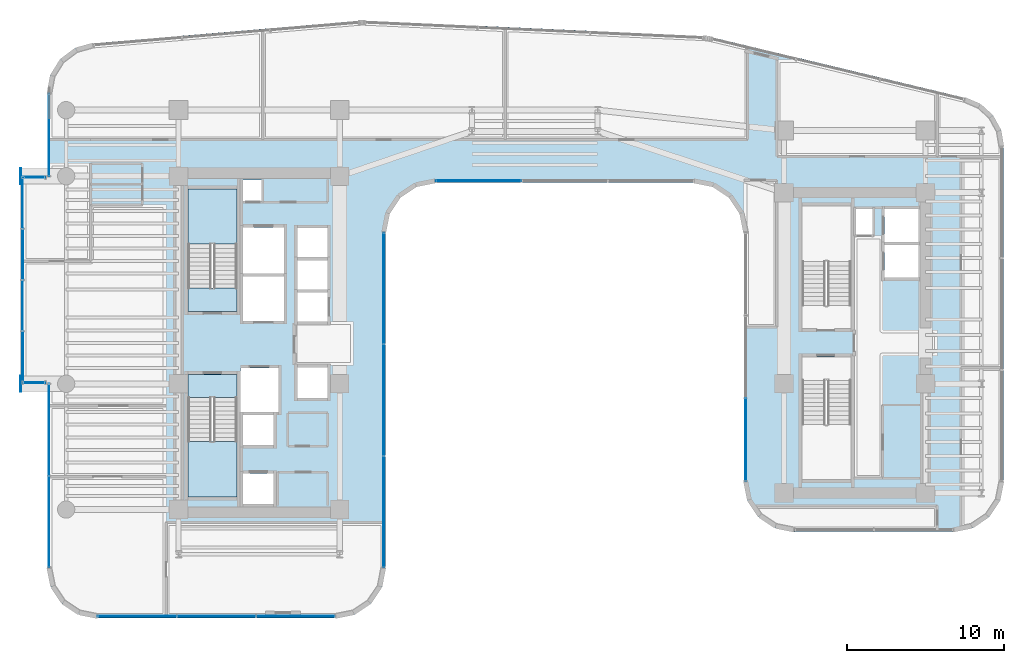
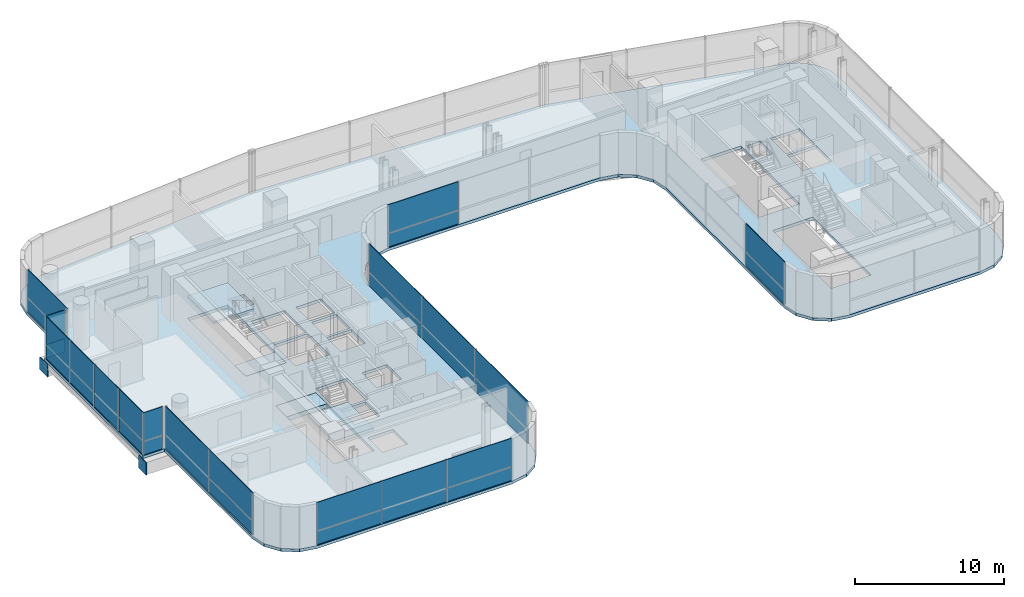
# One storey, part 24 of 34: 31 plates, 5 slabs, 11 elements without a shape of their own.
"""IFC4 building model written with IfcOpenShell, lengths in metres."""

from ifc_helpers import new_model, si_unit, direction, frame, origin, origin_2d, place, context, subcontext, project, spatial, polyline, rectangle, outline, extrude, source, transform, mapped, material, layer, layer_set, type_object, element, aggregate, save


model = new_model("IFC4")

# Units and contexts
model_context = context("Model", 3, precision=1e-05, world=origin(), true_north=direction((0.0, 1.0)))
body_context = subcontext(model_context, "Body", "Model", "MODEL_VIEW")
ifc_project = project(units=[si_unit("LENGTHUNIT", "METRE"), si_unit("AREAUNIT", "SQUARE_METRE"), si_unit("VOLUMEUNIT", "CUBIC_METRE"), si_unit("PLANEANGLEUNIT", "RADIAN"), si_unit("MASSUNIT", "GRAM", prefix="KILO")], contexts=[model_context])

# Site, building, storey
site_placement = place(None, origin())
site = spatial("IfcSite", under=ifc_project, at=site_placement, CompositionType="ELEMENT")
building_placement = place(site_placement, origin())
building = spatial("IfcBuilding", under=site, at=building_placement, Name="Valdorenza Pilgrim Sanctuary Tower", CompositionType="ELEMENT")
storey_placement = place(building_placement, frame((0.0, 0.0, 142.699951171875)))
storey = spatial("IfcBuildingStorey", under=building, at=storey_placement, Name="L36", CompositionType="ELEMENT", Elevation=142.699951171875)

# Slab
ifc_material_1 = material(Name="Concrete C40/50", Category="concrete")
ifc_layer_1 = layer(ifc_material_1, 0.239990234375, Name="Concrete C40/50")
ifc_layer_set_1 = layer_set([ifc_layer_1], Name="Concrete C40/50")
slab_type_1 = type_object("IfcSlabType", Name="SLAB-FLR-220", PredefinedType="FLOOR", material=ifc_layer_set_1)
slab_1_placement = place(storey_placement, frame((0.0, 0.0, -0.239990234375)))
element("IfcSlab", 1, at=slab_1_placement, inside=storey, type_object=slab_type_1, Name="L36 Structural Floor Slab 1", PredefinedType="FLOOR", context=body_context, shape_type="SweptSolid", body=[
    extrude(outline(polyline([(-30.78173828125, 17.022216796875), (-30.156494140625, 18.025390625), (-29.2099609375, 18.733154296875), (-28.071044921875, 19.049072265625), (-11.2080078125, 20.482421875), (-11.10400390625, 20.489501953125), (-10.895751953125, 20.49365234375), (10.6962890625, 19.513916015625), (10.847412109375, 19.50341796875), (10.998046875, 19.485595703125), (11.147705078125, 19.4609375), (11.2958984375, 19.42919921875), (27.344970703125, 15.587646484375), (28.323974609375, 15.17138671875), (29.1123046875, 14.45751953125), (29.623291015625, 13.5244140625), (29.800048828125, 12.4755859375), (29.800048828125, -8.800048828125), (29.556396484375, -10.024658203125), (28.86279296875, -11.062744140625), (27.82470703125, -11.75634765625), (26.60009765625, -12.0), (16.5, -12.0), (15.275390625, -11.75634765625), (14.2373046875, -11.062744140625), (13.543701171875, -10.024658203125), (13.300048828125, -8.800048828125), (13.300048828125, 7.0), (13.056396484375, 8.224609375), (12.36279296875, 9.2626953125), (11.32470703125, 9.956298828125), (10.10009765625, 10.199951171875), (-6.300048828125, 10.199951171875), (-7.524658203125, 9.956298828125), (-8.562744140625, 9.2626953125), (-9.25634765625, 8.224609375), (-9.5, 7.0), (-9.5, -14.300048828125), (-9.74365234375, -15.524658203125), (-10.437255859375, -16.562744140625), (-11.475341796875, -17.25634765625), (-12.699951171875, -17.5), (-27.800048828125, -17.5), (-29.024658203125, -17.25634765625), (-30.062744140625, -16.562744140625), (-30.75634765625, -15.524658203125), (-31.0, -14.300048828125), (-31.0, -2.60009765625), (-32.64990234375, -2.60009765625), (-32.64990234375, 10.60009765625), (-31.0, 10.60009765625), (-31.0, 15.860595703125), (-30.78173828125, 17.022216796875)]), holes=[polyline([(-16.60009765625, -10.25), (-16.60009765625, -8.300048828125), (-18.550048828125, -8.300048828125), (-18.550048828125, -10.25), (-16.60009765625, -10.25)]), polyline([(-22.050048828125, -9.800048828125), (-18.93994140625, -9.800048828125), (-18.93994140625, -3.485107421875), (-18.93994140625, -2.0), (-22.050048828125, -2.0), (-22.050048828125, -3.485107421875), (-22.050048828125, -9.800048828125)]), polyline([(-16.60009765625, -6.5), (-16.60009765625, -4.60009765625), (-18.550048828125, -4.60009765625), (-18.550048828125, -6.5), (-16.60009765625, -6.5)]), polyline([(-18.719970703125, -4.39990234375), (-16.300048828125, -4.39990234375), (-16.300048828125, -1.60009765625), (-18.719970703125, -1.60009765625), (-18.719970703125, -4.39990234375)]), polyline([(-13.179931640625, 1.35009765625), (-13.179931640625, 3.199951171875), (-15.10009765625, 3.199951171875), (-15.10009765625, 1.35009765625), (-13.179931640625, 1.35009765625)]), polyline([(-22.050048828125, 2.0), (-18.93994140625, 2.0), (-18.93994140625, 3.485107421875), (-18.93994140625, 9.800048828125), (-22.050048828125, 9.800048828125), (-22.050048828125, 3.485107421875), (-22.050048828125, 2.0)]), polyline([(-15.949951171875, 1.39990234375), (-15.949951171875, 4.22509765625), (-18.550048828125, 4.22509765625), (-18.550048828125, 1.39990234375), (-15.949951171875, 1.39990234375)]), polyline([(-18.550048828125, 4.425048828125), (-15.949951171875, 4.425048828125), (-15.949951171875, 7.35009765625), (-18.550048828125, 7.35009765625), (-18.550048828125, 4.425048828125)]), polyline([(-17.360107421875, 9.030029296875), (-17.360107421875, 10.35009765625), (-18.570068359375, 10.35009765625), (-18.570068359375, 9.030029296875), (-17.360107421875, 9.030029296875)]), polyline([(17.0, -8.699951171875), (20.110107421875, -8.699951171875), (20.110107421875, -2.385009765625), (20.110107421875, -0.89990234375), (17.0, -0.89990234375), (17.0, -2.385009765625), (17.0, -8.699951171875)]), polyline([(-13.179931640625, -3.5), (-13.179931640625, -1.550048828125), (-15.10009765625, -1.550048828125), (-15.10009765625, -3.5), (-13.179931640625, -3.5)]), polyline([(17.0, 0.89990234375), (20.110107421875, 0.89990234375), (20.110107421875, 2.385009765625), (20.110107421875, 8.699951171875), (17.0, 8.699951171875), (17.0, 2.385009765625), (17.0, 0.89990234375)]), polyline([(-13.179931640625, 3.39990234375), (-13.179931640625, 5.25), (-15.10009765625, 5.25), (-15.10009765625, 3.39990234375), (-13.179931640625, 3.39990234375)]), polyline([(22.25, 4.14990234375), (24.47998046875, 4.14990234375), (24.47998046875, 6.22509765625), (22.25, 6.22509765625), (22.25, 4.14990234375)]), polyline([(-13.179931640625, 5.449951171875), (-13.179931640625, 7.300048828125), (-15.10009765625, 7.300048828125), (-15.10009765625, 5.449951171875), (-13.179931640625, 5.449951171875)]), polyline([(22.25, 6.425048828125), (24.47998046875, 6.425048828125), (24.47998046875, 8.5), (22.25, 8.5), (22.25, 6.425048828125)]), polyline([(20.409912109375, 6.860107421875), (21.489990234375, 6.860107421875), (21.489990234375, 8.52001953125), (20.409912109375, 8.52001953125), (20.409912109375, 6.860107421875)])]), origin(), (0.0, 0.0, 1.0), 0.239990234375),
])

# Stair, slab
stair_type = type_object("IfcStairType", Name="STR-DOG-CORE", PredefinedType="HALF_TURN_STAIR", material=ifc_material_1)
stair_1_placement = place(storey_placement, origin())
stair_1 = element("IfcStair", 2, at=stair_1_placement, inside=storey, type_object=stair_type, Name="L36 ST-A1", PredefinedType="HALF_TURN_STAIR")
ifc_layer_2 = layer(ifc_material_1, 0.199951171875, Name="Concrete C40/50")
ifc_layer_set_2 = layer_set([ifc_layer_2], Name="Concrete C40/50")
slab_type_2 = type_object("IfcSlabType", Name="SLAB-STL-200", PredefinedType="LANDING", material=ifc_layer_set_2)
slab_2_placement = place(storey_placement, frame((0.0, 0.0, 1.650146484375)))
slab_2 = element("IfcSlab", 3, at=slab_2_placement, type_object=slab_type_2, Name="ST-A1 landing 1", PredefinedType="LANDING", context=body_context, shape_type="SweptSolid", body=[
    extrude(outline(polyline([(-18.93994140625, 6.280029296875), (-18.93994140625, 9.800048828125), (-22.050048828125, 9.800048828125), (-22.050048828125, 6.280029296875), (-18.93994140625, 6.280029296875)])), origin(), (0.0, 0.0, 1.0), 0.199951171875),
])
aggregate(stair_1, [slab_2])

stair_2_placement = place(storey_placement, origin())
stair_2 = element("IfcStair", 4, at=stair_2_placement, inside=storey, type_object=stair_type, Name="L36 ST-A2", PredefinedType="HALF_TURN_STAIR")
slab_3_placement = place(storey_placement, frame((0.0, 0.0, 1.650146484375)))
slab_3 = element("IfcSlab", 5, at=slab_3_placement, type_object=slab_type_2, Name="ST-A2 landing 1", PredefinedType="LANDING", context=body_context, shape_type="SweptSolid", body=[
    extrude(outline(polyline([(-22.050048828125, -6.280029296875), (-22.050048828125, -9.800048828125), (-18.93994140625, -9.800048828125), (-18.93994140625, -6.280029296875), (-22.050048828125, -6.280029296875)])), origin(), (0.0, 0.0, 1.0), 0.199951171875),
])
aggregate(stair_2, [slab_3])

# Slabs
ifc_material_2 = material(Name="Concrete C50/60", Category="concrete")
ifc_layer_3 = layer(ifc_material_2, 0.39990234375, Name="Concrete C50/60")
ifc_layer_set_3 = layer_set([ifc_layer_3], Name="Concrete C50/60")
slab_type_3 = type_object("IfcSlabType", Name="SLAB-TRF-400", PredefinedType="FLOOR", material=ifc_layer_set_3)
slab_4_placement = place(storey_placement, frame((0.0, 0.0, -0.35986328125)))
element("IfcSlab", 6, at=slab_4_placement, inside=storey, type_object=slab_type_3, Name="L36 ST-A1 Structural Stair Landing Bearing Slab", PredefinedType="FLOOR", context=body_context, shape_type="SweptSolid", body=[
    extrude(outline(polyline([(-22.050048828125, 2.0), (-18.93994140625, 2.0), (-18.93994140625, 3.485107421875), (-22.050048828125, 3.485107421875), (-22.050048828125, 2.0)])), origin(), (0.0, 0.0, 1.0), 0.35986328125),
])
slab_5_placement = place(storey_placement, frame((0.0, 0.0, -0.35986328125)))
element("IfcSlab", 7, at=slab_5_placement, inside=storey, type_object=slab_type_3, Name="L36 ST-A2 Structural Stair Landing Bearing Slab", PredefinedType="FLOOR", context=body_context, shape_type="SweptSolid", body=[
    extrude(outline(polyline([(-22.050048828125, -3.485107421875), (-18.93994140625, -3.485107421875), (-18.93994140625, -2.0), (-22.050048828125, -2.0), (-22.050048828125, -3.485107421875)])), origin(), (0.0, 0.0, 1.0), 0.35986328125),
])

# Plates
ifc_material_3 = material(Name="Steel ASTM A572 Grade 42", Category="steel")
ifc_layer_4 = layer(ifc_material_3, 0.06005859375, Name="Steel ASTM A572 Grade 42")
ifc_layer_set_4 = layer_set([ifc_layer_4], Name="Steel ASTM A572 Grade 42")
plate_type_1 = type_object("IfcPlateType", Name="PLT-CAP-60", PredefinedType="SHEET", material=ifc_layer_set_4)
shared_shape_1 = source(origin(), body_context, "Body", "SweptSolid", [
    extrude(rectangle(XDim=0.06005859375, YDim=1.0400390625, at=origin_2d()), origin(), (0.0, 0.0, 1.0), 1.0400390625),
])
for number, where, z_axis, x_axis, name in (
    (8, (-32.679931640625, 10.60009765625, -1.260009765625), (0.0, 0.0, 1.0), (1.0, 0.0, 0.0), "L36 BOX-WA-L36 Cantilever Tip End Cap N"),
    (9, (-32.679931640625, -2.60009765625, -1.260009765625), (0.0, 0.0, 1.0), (1.0, 0.0, 0.0), "L36 BOX-WA-L36 Cantilever Tip End Cap S"),
):
    element("IfcPlate", number, at=place(storey_placement, frame(where, z_axis=z_axis, x_axis=x_axis)), inside=storey, type_object=plate_type_1, Name=name, PredefinedType="SHEET", context=body_context, shape_type="MappedRepresentation", body=[
        mapped(shared_shape_1, transform((0.0, 0.0, 0.0), x_axis=(1.0, 0.0, 0.0), y_axis=(0.0, 1.0, 0.0), z_axis=(0.0, 0.0, 1.0), scale=1.0)),
    ])

# Curtain wall, plates
ifc_material_4 = material(Name="Curtain-wall IGU glazing", Category="glass")
curtain_wall_type_1 = type_object("IfcCurtainWallType", Name="CW-SYS-02", PredefinedType="NOTDEFINED", material=ifc_material_4)
curtain_wall_1_placement = place(storey_placement, origin())
curtain_wall_1 = element("IfcCurtainWall", 10, at=curtain_wall_1_placement, inside=storey, type_object=curtain_wall_type_1, Name="L36 Curtain Wall CW-L36-1-36", PredefinedType="NOTDEFINED")
ifc_material_5 = material(Name="Honed travertine limestone", Category="masonry")
ifc_layer_5 = layer(ifc_material_5, 0.050048828125, Name="Honed travertine limestone")
ifc_layer_set_5 = layer_set([ifc_layer_5], Name="Honed travertine limestone")
plate_type_2 = type_object("IfcPlateType", Name="CW-SPN-TRV", PredefinedType="USERDEFINED", material=ifc_layer_set_5)
shared_shape_2 = source(origin(), body_context, "Body", "SweptSolid", [
    extrude(rectangle(XDim=5.453857421875, YDim=0.06005859375, at=origin_2d()), origin(), (0.0, 0.0, 1.0), 1.10009765625),
])
plate_1_placement = place(storey_placement, frame((-3.573974609375, 10.31005859375, 0.010009765625), z_axis=(0.0, 0.0, 1.0), x_axis=(-1.0, 0.0, 0.0)))
plate_1 = element("IfcPlate", 11, at=plate_1_placement, type_object=plate_type_2, Name="CW-L36-1-36 Travertine Spandrel 3", ObjectType="SPANDREL", PredefinedType="USERDEFINED", context=body_context, shape_type="MappedRepresentation", body=[
    mapped(shared_shape_2, transform((0.0, 0.0, 0.0), x_axis=(1.0, 0.0, 0.0), y_axis=(0.0, 1.0, 0.0), z_axis=(0.0, 0.0, 1.0), scale=1.0)),
])
ifc_material_6 = material(Name="Ceramic-fritted low-E IGU glazing", Category="glass")
ifc_layer_6 = layer(ifc_material_6, 0.035888671875, Name="Ceramic-fritted low-E IGU glazing")
ifc_layer_set_6 = layer_set([ifc_layer_6], Name="Ceramic-fritted low-E IGU glazing")
plate_type_3 = type_object("IfcPlateType", Name="CW-GLZ-IGU", PredefinedType="USERDEFINED", material=ifc_layer_set_6)
shared_shape_3 = source(origin(), body_context, "Body", "SweptSolid", [
    extrude(rectangle(XDim=5.453857421875, YDim=0.050048828125, at=origin_2d()), origin(), (0.0, 0.0, 1.0), 2.320068359375),
])
plate_2_placement = place(storey_placement, frame((-3.573974609375, 10.31005859375, 1.1298828125), z_axis=(0.0, 0.0, 1.0), x_axis=(-1.0, 0.0, 0.0)))
plate_2 = element("IfcPlate", 12, at=plate_2_placement, type_object=plate_type_3, Name="CW-L36-1-36 Facade Panel 3", ObjectType="GLAZING", PredefinedType="USERDEFINED", context=body_context, shape_type="MappedRepresentation", body=[
    mapped(shared_shape_3, transform((0.0, 0.0, 0.0), x_axis=(1.0, 0.0, 0.0), y_axis=(0.0, 1.0, 0.0), z_axis=(0.0, 0.0, 1.0), scale=1.0)),
])
aggregate(curtain_wall_1, [plate_1, plate_2])

# Curtain wall, plate
curtain_wall_2_placement = place(storey_placement, origin())
curtain_wall_2 = element("IfcCurtainWall", 13, at=curtain_wall_2_placement, inside=storey, type_object=curtain_wall_type_1, Name="L36 Curtain Wall CW-L36-BOX-WA-L36-S", PredefinedType="NOTDEFINED")
shared_shape_4 = source(origin(), body_context, "Body", "SweptSolid", [
    extrude(rectangle(XDim=1.43994140625, YDim=0.06005859375, at=origin_2d()), origin(), (0.0, 0.0, 1.0), 1.10009765625),
])
plate_3_placement = place(storey_placement, frame((-31.840087890625, -2.52001953125, 0.010009765625), z_axis=(0.0, 0.0, 1.0), x_axis=(-1.0, 0.0, 0.0)))
plate_3 = element("IfcPlate", 14, at=plate_3_placement, type_object=plate_type_2, Name="CW-L36-BOX-WA-L36-S Travertine Spandrel 1", ObjectType="SPANDREL", PredefinedType="USERDEFINED", context=body_context, shape_type="MappedRepresentation", body=[
    mapped(shared_shape_4, transform((0.0, 0.0, 0.0), x_axis=(1.0, 0.0, 0.0), y_axis=(0.0, 1.0, 0.0), z_axis=(0.0, 0.0, 1.0), scale=1.0)),
])

curtain_wall_3_placement = place(storey_placement, origin())
curtain_wall_3 = element("IfcCurtainWall", 15, at=curtain_wall_3_placement, inside=storey, type_object=curtain_wall_type_1, Name="L36 Curtain Wall CW-L36-BOX-WA-L36-N", PredefinedType="NOTDEFINED")
plate_4_placement = place(storey_placement, frame((-31.840087890625, 10.52001953125, 0.010009765625), z_axis=(0.0, 0.0, 1.0), x_axis=(1.0, 0.0, 0.0)))
plate_4 = element("IfcPlate", 16, at=plate_4_placement, type_object=plate_type_2, Name="CW-L36-BOX-WA-L36-N Travertine Spandrel 1", ObjectType="SPANDREL", PredefinedType="USERDEFINED", context=body_context, shape_type="MappedRepresentation", body=[
    mapped(shared_shape_4, transform((0.0, 0.0, 0.0), x_axis=(1.0, 0.0, 0.0), y_axis=(0.0, 1.0, 0.0), z_axis=(0.0, 0.0, 1.0), scale=1.0)),
])

# Plate
shared_shape_5 = source(origin(), body_context, "Body", "SweptSolid", [
    extrude(rectangle(XDim=1.43994140625, YDim=0.050048828125, at=origin_2d()), origin(), (0.0, 0.0, 1.0), 2.320068359375),
])
plate_5_placement = place(storey_placement, frame((-31.840087890625, -2.52001953125, 1.1298828125), z_axis=(0.0, 0.0, 1.0), x_axis=(-1.0, 0.0, 0.0)))
plate_5 = element("IfcPlate", 17, at=plate_5_placement, type_object=plate_type_3, Name="CW-L36-BOX-WA-L36-S Facade Panel 1", ObjectType="GLAZING", PredefinedType="USERDEFINED", context=body_context, shape_type="MappedRepresentation", body=[
    mapped(shared_shape_5, transform((0.0, 0.0, 0.0), x_axis=(1.0, 0.0, 0.0), y_axis=(0.0, 1.0, 0.0), z_axis=(0.0, 0.0, 1.0), scale=1.0)),
])

aggregate(curtain_wall_2, [plate_3, plate_5])

plate_6_placement = place(storey_placement, frame((-31.840087890625, 10.52001953125, 1.1298828125), z_axis=(0.0, 0.0, 1.0), x_axis=(1.0, 0.0, 0.0)))
plate_6 = element("IfcPlate", 18, at=plate_6_placement, type_object=plate_type_3, Name="CW-L36-BOX-WA-L36-N Facade Panel 1", ObjectType="GLAZING", PredefinedType="USERDEFINED", context=body_context, shape_type="MappedRepresentation", body=[
    mapped(shared_shape_5, transform((0.0, 0.0, 0.0), x_axis=(1.0, 0.0, 0.0), y_axis=(0.0, 1.0, 0.0), z_axis=(0.0, 0.0, 1.0), scale=1.0)),
])

aggregate(curtain_wall_3, [plate_4, plate_6])

# Curtain wall, plates
curtain_wall_4_placement = place(storey_placement, origin())
curtain_wall_4 = element("IfcCurtainWall", 19, at=curtain_wall_4_placement, inside=storey, type_object=curtain_wall_type_1, Name="L36 Curtain Wall CW-L36-BOX-WA-L36-F", PredefinedType="NOTDEFINED")
shared_shape_6 = source(origin(), body_context, "Body", "SweptSolid", [
    extrude(rectangle(XDim=3.239990234375, YDim=0.06005859375, at=origin_2d()), origin(), (0.0, 0.0, 1.0), 1.10009765625),
])
plate_7_placement = place(storey_placement, frame((-32.570068359375, -0.889892578125, 0.010009765625), z_axis=(0.0, 0.0, 1.0), x_axis=(0.0, 1.0, 0.0)))
plate_7 = element("IfcPlate", 20, at=plate_7_placement, type_object=plate_type_2, Name="CW-L36-BOX-WA-L36-F Travertine Spandrel 1", ObjectType="SPANDREL", PredefinedType="USERDEFINED", context=body_context, shape_type="MappedRepresentation", body=[
    mapped(shared_shape_6, transform((0.0, 0.0, 0.0), x_axis=(1.0, 0.0, 0.0), y_axis=(0.0, 1.0, 0.0), z_axis=(0.0, 0.0, 1.0), scale=1.0)),
])
plate_8_placement = place(storey_placement, frame((-32.570068359375, 5.6298828125, 0.010009765625), z_axis=(0.0, 0.0, 1.0), x_axis=(0.0, 1.0, 0.0)))
plate_8 = element("IfcPlate", 21, at=plate_8_placement, type_object=plate_type_2, Name="CW-L36-BOX-WA-L36-F Travertine Spandrel 3", ObjectType="SPANDREL", PredefinedType="USERDEFINED", context=body_context, shape_type="MappedRepresentation", body=[
    mapped(shared_shape_6, transform((0.0, 0.0, 0.0), x_axis=(1.0, 0.0, 0.0), y_axis=(0.0, 1.0, 0.0), z_axis=(0.0, 0.0, 1.0), scale=1.0)),
])
shared_shape_7 = source(origin(), body_context, "Body", "SweptSolid", [
    extrude(rectangle(XDim=3.239990234375, YDim=0.050048828125, at=origin_2d()), origin(), (0.0, 0.0, 1.0), 2.320068359375),
])
plate_9_placement = place(storey_placement, frame((-32.570068359375, -0.889892578125, 1.1298828125), z_axis=(0.0, 0.0, 1.0), x_axis=(0.0, 1.0, 0.0)))
plate_9 = element("IfcPlate", 22, at=plate_9_placement, type_object=plate_type_3, Name="CW-L36-BOX-WA-L36-F Facade Panel 1", ObjectType="GLAZING", PredefinedType="USERDEFINED", context=body_context, shape_type="MappedRepresentation", body=[
    mapped(shared_shape_7, transform((0.0, 0.0, 0.0), x_axis=(1.0, 0.0, 0.0), y_axis=(0.0, 1.0, 0.0), z_axis=(0.0, 0.0, 1.0), scale=1.0)),
])
plate_10_placement = place(storey_placement, frame((-32.570068359375, 5.6298828125, 1.1298828125), z_axis=(0.0, 0.0, 1.0), x_axis=(0.0, 1.0, 0.0)))
plate_10 = element("IfcPlate", 23, at=plate_10_placement, type_object=plate_type_3, Name="CW-L36-BOX-WA-L36-F Facade Panel 3", ObjectType="GLAZING", PredefinedType="USERDEFINED", context=body_context, shape_type="MappedRepresentation", body=[
    mapped(shared_shape_7, transform((0.0, 0.0, 0.0), x_axis=(1.0, 0.0, 0.0), y_axis=(0.0, 1.0, 0.0), z_axis=(0.0, 0.0, 1.0), scale=1.0)),
])
shared_shape_8 = source(origin(), body_context, "Body", "SweptSolid", [
    extrude(rectangle(XDim=3.239990234375, YDim=0.050048828125, at=origin_2d()), origin(), (0.0, 0.0, 1.0), 3.43994140625),
])
plate_11_placement = place(storey_placement, frame((-32.570068359375, 2.3701171875, 0.010009765625), z_axis=(0.0, 0.0, 1.0), x_axis=(0.0, 1.0, 0.0)))
plate_11 = element("IfcPlate", 24, at=plate_11_placement, type_object=plate_type_3, Name="CW-L36-BOX-WA-L36-F Full-Height Facade Panel 2", ObjectType="GLAZING", PredefinedType="USERDEFINED", context=body_context, shape_type="MappedRepresentation", body=[
    mapped(shared_shape_8, transform((0.0, 0.0, 0.0), x_axis=(1.0, 0.0, 0.0), y_axis=(0.0, 1.0, 0.0), z_axis=(0.0, 0.0, 1.0), scale=1.0)),
])
plate_12_placement = place(storey_placement, frame((-32.570068359375, 8.889892578125, 0.010009765625), z_axis=(0.0, 0.0, 1.0), x_axis=(0.0, 1.0, 0.0)))
plate_12 = element("IfcPlate", 25, at=plate_12_placement, type_object=plate_type_3, Name="CW-L36-BOX-WA-L36-F Full-Height Facade Panel 4", ObjectType="GLAZING", PredefinedType="USERDEFINED", context=body_context, shape_type="MappedRepresentation", body=[
    mapped(shared_shape_8, transform((0.0, 0.0, 0.0), x_axis=(1.0, 0.0, 0.0), y_axis=(0.0, 1.0, 0.0), z_axis=(0.0, 0.0, 1.0), scale=1.0)),
])
aggregate(curtain_wall_4, [plate_7, plate_9, plate_11, plate_8, plate_10, plate_12])

# Curtain wall, plate
curtain_wall_type_2 = type_object("IfcCurtainWallType", Name="CW-SYS-03", PredefinedType="NOTDEFINED", material=ifc_material_4)
curtain_wall_5_placement = place(storey_placement, origin())
curtain_wall_5 = element("IfcCurtainWall", 26, at=curtain_wall_5_placement, inside=storey, type_object=curtain_wall_type_2, Name="L36 Curtain Wall CW-L36-1-31", PredefinedType="NOTDEFINED")
shared_shape_9 = source(origin(), body_context, "Body", "SweptSolid", [
    extrude(rectangle(XDim=5.24658203125, YDim=0.06005859375, at=origin_2d()), origin(), (0.0, 0.0, 1.0), 1.10009765625),
])
plate_13_placement = place(storey_placement, frame((13.409912109375, -6.156005859375, 0.010009765625), z_axis=(0.0, 0.0, 1.0), x_axis=(0.0, 1.0, 0.0)))
plate_13 = element("IfcPlate", 27, at=plate_13_placement, type_object=plate_type_2, Name="CW-L36-1-31 Travertine Spandrel 1", ObjectType="SPANDREL", PredefinedType="USERDEFINED", context=body_context, shape_type="MappedRepresentation", body=[
    mapped(shared_shape_9, transform((0.0, 0.0, 0.0), x_axis=(1.0, 0.0, 0.0), y_axis=(0.0, 1.0, 0.0), z_axis=(0.0, 0.0, 1.0), scale=1.0)),
])

# Curtain wall, plates
curtain_wall_6_placement = place(storey_placement, origin())
curtain_wall_6 = element("IfcCurtainWall", 28, at=curtain_wall_6_placement, inside=storey, type_object=curtain_wall_type_1, Name="L36 Curtain Wall CW-L36-1-41", PredefinedType="NOTDEFINED")
shared_shape_10 = source(origin(), body_context, "Body", "SweptSolid", [
    extrude(rectangle(XDim=7.080078125, YDim=0.06005859375, at=origin_2d()), origin(), (0.0, 0.0, 1.0), 1.10009765625),
])
plate_14_placement = place(storey_placement, frame((-9.610107421875, 3.460693359375, 0.010009765625), z_axis=(0.0, 0.0, 1.0), x_axis=(0.0, -1.0, 0.0)))
plate_14 = element("IfcPlate", 29, at=plate_14_placement, type_object=plate_type_2, Name="CW-L36-1-41 Travertine Spandrel 1", ObjectType="SPANDREL", PredefinedType="USERDEFINED", context=body_context, shape_type="MappedRepresentation", body=[
    mapped(shared_shape_10, transform((0.0, 0.0, 0.0), x_axis=(1.0, 0.0, 0.0), y_axis=(0.0, 1.0, 0.0), z_axis=(0.0, 0.0, 1.0), scale=1.0)),
])
plate_15_placement = place(storey_placement, frame((-9.610107421875, -10.7392578125, 0.010009765625), z_axis=(0.0, 0.0, 1.0), x_axis=(0.0, -1.0, 0.0)))
plate_15 = element("IfcPlate", 30, at=plate_15_placement, type_object=plate_type_2, Name="CW-L36-1-41 Travertine Spandrel 3", ObjectType="SPANDREL", PredefinedType="USERDEFINED", context=body_context, shape_type="MappedRepresentation", body=[
    mapped(shared_shape_10, transform((0.0, 0.0, 0.0), x_axis=(1.0, 0.0, 0.0), y_axis=(0.0, 1.0, 0.0), z_axis=(0.0, 0.0, 1.0), scale=1.0)),
])

curtain_wall_7_placement = place(storey_placement, origin())
curtain_wall_7 = element("IfcCurtainWall", 31, at=curtain_wall_7_placement, inside=storey, type_object=curtain_wall_type_1, Name="L36 Curtain Wall CW-L36-1-1S1", PredefinedType="NOTDEFINED")
shared_shape_11 = source(origin(), body_context, "Body", "SweptSolid", [
    extrude(rectangle(XDim=5.82470703125, YDim=0.06005859375, at=origin_2d()), origin(), (0.0, 0.0, 1.0), 1.10009765625),
])
plate_16_placement = place(storey_placement, frame((-30.889892578125, -11.366943359375, 0.010009765625), z_axis=(0.0, 0.0, 1.0), x_axis=(0.0, 1.0, 0.0)))
plate_16 = element("IfcPlate", 32, at=plate_16_placement, type_object=plate_type_2, Name="CW-L36-1-1S1 Travertine Spandrel 1", ObjectType="SPANDREL", PredefinedType="USERDEFINED", context=body_context, shape_type="MappedRepresentation", body=[
    mapped(shared_shape_11, transform((0.0, 0.0, 0.0), x_axis=(1.0, 0.0, 0.0), y_axis=(0.0, 1.0, 0.0), z_axis=(0.0, 0.0, 1.0), scale=1.0)),
])
shared_shape_12 = source(origin(), body_context, "Body", "SweptSolid", [
    extrude(rectangle(XDim=5.82470703125, YDim=0.050048828125, at=origin_2d()), origin(), (0.0, 0.0, 1.0), 2.320068359375),
])
plate_17_placement = place(storey_placement, frame((-30.889892578125, -11.366943359375, 1.1298828125), z_axis=(0.0, 0.0, 1.0), x_axis=(0.0, 1.0, 0.0)))
plate_17 = element("IfcPlate", 33, at=plate_17_placement, type_object=plate_type_3, Name="CW-L36-1-1S1 Facade Panel 1", ObjectType="GLAZING", PredefinedType="USERDEFINED", context=body_context, shape_type="MappedRepresentation", body=[
    mapped(shared_shape_12, transform((0.0, 0.0, 0.0), x_axis=(1.0, 0.0, 0.0), y_axis=(0.0, 1.0, 0.0), z_axis=(0.0, 0.0, 1.0), scale=1.0)),
])
shared_shape_13 = source(origin(), body_context, "Body", "SweptSolid", [
    extrude(rectangle(XDim=5.82470703125, YDim=0.050048828125, at=origin_2d()), origin(), (0.0, 0.0, 1.0), 3.43994140625),
])
plate_18_placement = place(storey_placement, frame((-30.889892578125, -5.522216796875, 0.010009765625), z_axis=(0.0, 0.0, 1.0), x_axis=(0.0, 1.0, 0.0)))
plate_18 = element("IfcPlate", 34, at=plate_18_placement, type_object=plate_type_3, Name="CW-L36-1-1S1 Full-Height Facade Panel 2", ObjectType="GLAZING", PredefinedType="USERDEFINED", context=body_context, shape_type="MappedRepresentation", body=[
    mapped(shared_shape_13, transform((0.0, 0.0, 0.0), x_axis=(1.0, 0.0, 0.0), y_axis=(0.0, 1.0, 0.0), z_axis=(0.0, 0.0, 1.0), scale=1.0)),
])
aggregate(curtain_wall_7, [plate_16, plate_17, plate_18])

curtain_wall_8_placement = place(storey_placement, origin())
curtain_wall_8 = element("IfcCurtainWall", 35, at=curtain_wall_8_placement, inside=storey, type_object=curtain_wall_type_1, Name="L36 Curtain Wall CW-L36-1-1S2", PredefinedType="NOTDEFINED")
shared_shape_14 = source(origin(), body_context, "Body", "SweptSolid", [
    extrude(rectangle(XDim=5.230224609375, YDim=0.06005859375, at=origin_2d()), origin(), (0.0, 0.0, 1.0), 1.10009765625),
])
plate_19_placement = place(storey_placement, frame((-30.889892578125, 13.22509765625, 0.010009765625), z_axis=(0.0, 0.0, 1.0), x_axis=(0.0, 1.0, 0.0)))
plate_19 = element("IfcPlate", 36, at=plate_19_placement, type_object=plate_type_2, Name="CW-L36-1-1S2 Travertine Spandrel 1", ObjectType="SPANDREL", PredefinedType="USERDEFINED", context=body_context, shape_type="MappedRepresentation", body=[
    mapped(shared_shape_14, transform((0.0, 0.0, 0.0), x_axis=(1.0, 0.0, 0.0), y_axis=(0.0, 1.0, 0.0), z_axis=(0.0, 0.0, 1.0), scale=1.0)),
])
shared_shape_15 = source(origin(), body_context, "Body", "SweptSolid", [
    extrude(rectangle(XDim=5.230224609375, YDim=0.050048828125, at=origin_2d()), origin(), (0.0, 0.0, 1.0), 2.320068359375),
])
plate_20_placement = place(storey_placement, frame((-30.889892578125, 13.22509765625, 1.1298828125), z_axis=(0.0, 0.0, 1.0), x_axis=(0.0, 1.0, 0.0)))
plate_20 = element("IfcPlate", 37, at=plate_20_placement, type_object=plate_type_3, Name="CW-L36-1-1S2 Facade Panel 1", ObjectType="GLAZING", PredefinedType="USERDEFINED", context=body_context, shape_type="MappedRepresentation", body=[
    mapped(shared_shape_15, transform((0.0, 0.0, 0.0), x_axis=(1.0, 0.0, 0.0), y_axis=(0.0, 1.0, 0.0), z_axis=(0.0, 0.0, 1.0), scale=1.0)),
])
aggregate(curtain_wall_8, [plate_19, plate_20])

# Plate
shared_shape_16 = source(origin(), body_context, "Body", "SweptSolid", [
    extrude(rectangle(XDim=5.24658203125, YDim=0.050048828125, at=origin_2d()), origin(), (0.0, 0.0, 1.0), 2.320068359375),
])
plate_21_placement = place(storey_placement, frame((13.409912109375, -6.156005859375, 1.1298828125), z_axis=(0.0, 0.0, 1.0), x_axis=(0.0, 1.0, 0.0)))
plate_21 = element("IfcPlate", 38, at=plate_21_placement, type_object=plate_type_3, Name="CW-L36-1-31 Facade Panel 1", ObjectType="GLAZING", PredefinedType="USERDEFINED", context=body_context, shape_type="MappedRepresentation", body=[
    mapped(shared_shape_16, transform((0.0, 0.0, 0.0), x_axis=(1.0, 0.0, 0.0), y_axis=(0.0, 1.0, 0.0), z_axis=(0.0, 0.0, 1.0), scale=1.0)),
])

aggregate(curtain_wall_5, [plate_13, plate_21])

shared_shape_17 = source(origin(), body_context, "Body", "SweptSolid", [
    extrude(rectangle(XDim=7.080078125, YDim=0.050048828125, at=origin_2d()), origin(), (0.0, 0.0, 1.0), 2.320068359375),
])
plate_22_placement = place(storey_placement, frame((-9.610107421875, 3.460693359375, 1.1298828125), z_axis=(0.0, 0.0, 1.0), x_axis=(0.0, -1.0, 0.0)))
plate_22 = element("IfcPlate", 39, at=plate_22_placement, type_object=plate_type_3, Name="CW-L36-1-41 Facade Panel 1", ObjectType="GLAZING", PredefinedType="USERDEFINED", context=body_context, shape_type="MappedRepresentation", body=[
    mapped(shared_shape_17, transform((0.0, 0.0, 0.0), x_axis=(1.0, 0.0, 0.0), y_axis=(0.0, 1.0, 0.0), z_axis=(0.0, 0.0, 1.0), scale=1.0)),
])

plate_23_placement = place(storey_placement, frame((-9.610107421875, -10.7392578125, 1.1298828125), z_axis=(0.0, 0.0, 1.0), x_axis=(0.0, -1.0, 0.0)))
plate_23 = element("IfcPlate", 40, at=plate_23_placement, type_object=plate_type_3, Name="CW-L36-1-41 Facade Panel 3", ObjectType="GLAZING", PredefinedType="USERDEFINED", context=body_context, shape_type="MappedRepresentation", body=[
    mapped(shared_shape_17, transform((0.0, 0.0, 0.0), x_axis=(1.0, 0.0, 0.0), y_axis=(0.0, 1.0, 0.0), z_axis=(0.0, 0.0, 1.0), scale=1.0)),
])

shared_shape_18 = source(origin(), body_context, "Body", "SweptSolid", [
    extrude(rectangle(XDim=7.080078125, YDim=0.050048828125, at=origin_2d()), origin(), (0.0, 0.0, 1.0), 3.43994140625),
])
plate_24_placement = place(storey_placement, frame((-9.610107421875, -3.63916015625, 0.010009765625), z_axis=(0.0, 0.0, 1.0), x_axis=(0.0, -1.0, 0.0)))
plate_24 = element("IfcPlate", 41, at=plate_24_placement, type_object=plate_type_3, Name="CW-L36-1-41 Full-Height Facade Panel 2", ObjectType="GLAZING", PredefinedType="USERDEFINED", context=body_context, shape_type="MappedRepresentation", body=[
    mapped(shared_shape_18, transform((0.0, 0.0, 0.0), x_axis=(1.0, 0.0, 0.0), y_axis=(0.0, 1.0, 0.0), z_axis=(0.0, 0.0, 1.0), scale=1.0)),
])

aggregate(curtain_wall_6, [plate_14, plate_22, plate_24, plate_15, plate_23])

# Curtain wall, plates
curtain_wall_9_placement = place(storey_placement, origin())
curtain_wall_9 = element("IfcCurtainWall", 42, at=curtain_wall_9_placement, inside=storey, type_object=curtain_wall_type_1, Name="L36 Curtain Wall CW-L36-1-46", PredefinedType="NOTDEFINED")
shared_shape_19 = source(origin(), body_context, "Body", "SweptSolid", [
    extrude(rectangle(XDim=5.006103515625, YDim=0.06005859375, at=origin_2d()), origin(), (0.0, 0.0, 1.0), 1.10009765625),
])
plate_25_placement = place(storey_placement, frame((-15.223876953125, -17.389892578125, 0.010009765625), z_axis=(0.0, 0.0, 1.0), x_axis=(-1.0, 0.0, 0.0)))
plate_25 = element("IfcPlate", 43, at=plate_25_placement, type_object=plate_type_2, Name="CW-L36-1-46 Travertine Spandrel 1", ObjectType="SPANDREL", PredefinedType="USERDEFINED", context=body_context, shape_type="MappedRepresentation", body=[
    mapped(shared_shape_19, transform((0.0, 0.0, 0.0), x_axis=(1.0, 0.0, 0.0), y_axis=(0.0, 1.0, 0.0), z_axis=(0.0, 0.0, 1.0), scale=1.0)),
])
plate_26_placement = place(storey_placement, frame((-25.276123046875, -17.389892578125, 0.010009765625), z_axis=(0.0, 0.0, 1.0), x_axis=(-1.0, 0.0, 0.0)))
plate_26 = element("IfcPlate", 44, at=plate_26_placement, type_object=plate_type_2, Name="CW-L36-1-46 Travertine Spandrel 3", ObjectType="SPANDREL", PredefinedType="USERDEFINED", context=body_context, shape_type="MappedRepresentation", body=[
    mapped(shared_shape_19, transform((0.0, 0.0, 0.0), x_axis=(1.0, 0.0, 0.0), y_axis=(0.0, 1.0, 0.0), z_axis=(0.0, 0.0, 1.0), scale=1.0)),
])
shared_shape_20 = source(origin(), body_context, "Body", "SweptSolid", [
    extrude(rectangle(XDim=5.006103515625, YDim=0.050048828125, at=origin_2d()), origin(), (0.0, 0.0, 1.0), 2.320068359375),
])
plate_27_placement = place(storey_placement, frame((-15.223876953125, -17.389892578125, 1.1298828125), z_axis=(0.0, 0.0, 1.0), x_axis=(-1.0, 0.0, 0.0)))
plate_27 = element("IfcPlate", 45, at=plate_27_placement, type_object=plate_type_3, Name="CW-L36-1-46 Facade Panel 1", ObjectType="GLAZING", PredefinedType="USERDEFINED", context=body_context, shape_type="MappedRepresentation", body=[
    mapped(shared_shape_20, transform((0.0, 0.0, 0.0), x_axis=(1.0, 0.0, 0.0), y_axis=(0.0, 1.0, 0.0), z_axis=(0.0, 0.0, 1.0), scale=1.0)),
])
plate_28_placement = place(storey_placement, frame((-25.276123046875, -17.389892578125, 1.1298828125), z_axis=(0.0, 0.0, 1.0), x_axis=(-1.0, 0.0, 0.0)))
plate_28 = element("IfcPlate", 46, at=plate_28_placement, type_object=plate_type_3, Name="CW-L36-1-46 Facade Panel 3", ObjectType="GLAZING", PredefinedType="USERDEFINED", context=body_context, shape_type="MappedRepresentation", body=[
    mapped(shared_shape_20, transform((0.0, 0.0, 0.0), x_axis=(1.0, 0.0, 0.0), y_axis=(0.0, 1.0, 0.0), z_axis=(0.0, 0.0, 1.0), scale=1.0)),
])
shared_shape_21 = source(origin(), body_context, "Body", "SweptSolid", [
    extrude(rectangle(XDim=5.006103515625, YDim=0.050048828125, at=origin_2d()), origin(), (0.0, 0.0, 1.0), 3.43994140625),
])
plate_29_placement = place(storey_placement, frame((-20.25, -17.389892578125, 0.010009765625), z_axis=(0.0, 0.0, 1.0), x_axis=(-1.0, 0.0, 0.0)))
plate_29 = element("IfcPlate", 47, at=plate_29_placement, type_object=plate_type_3, Name="CW-L36-1-46 Full-Height Facade Panel 2", ObjectType="GLAZING", PredefinedType="USERDEFINED", context=body_context, shape_type="MappedRepresentation", body=[
    mapped(shared_shape_21, transform((0.0, 0.0, 0.0), x_axis=(1.0, 0.0, 0.0), y_axis=(0.0, 1.0, 0.0), z_axis=(0.0, 0.0, 1.0), scale=1.0)),
])
aggregate(curtain_wall_9, [plate_25, plate_27, plate_29, plate_26, plate_28])

save(model, "model.ifc")
